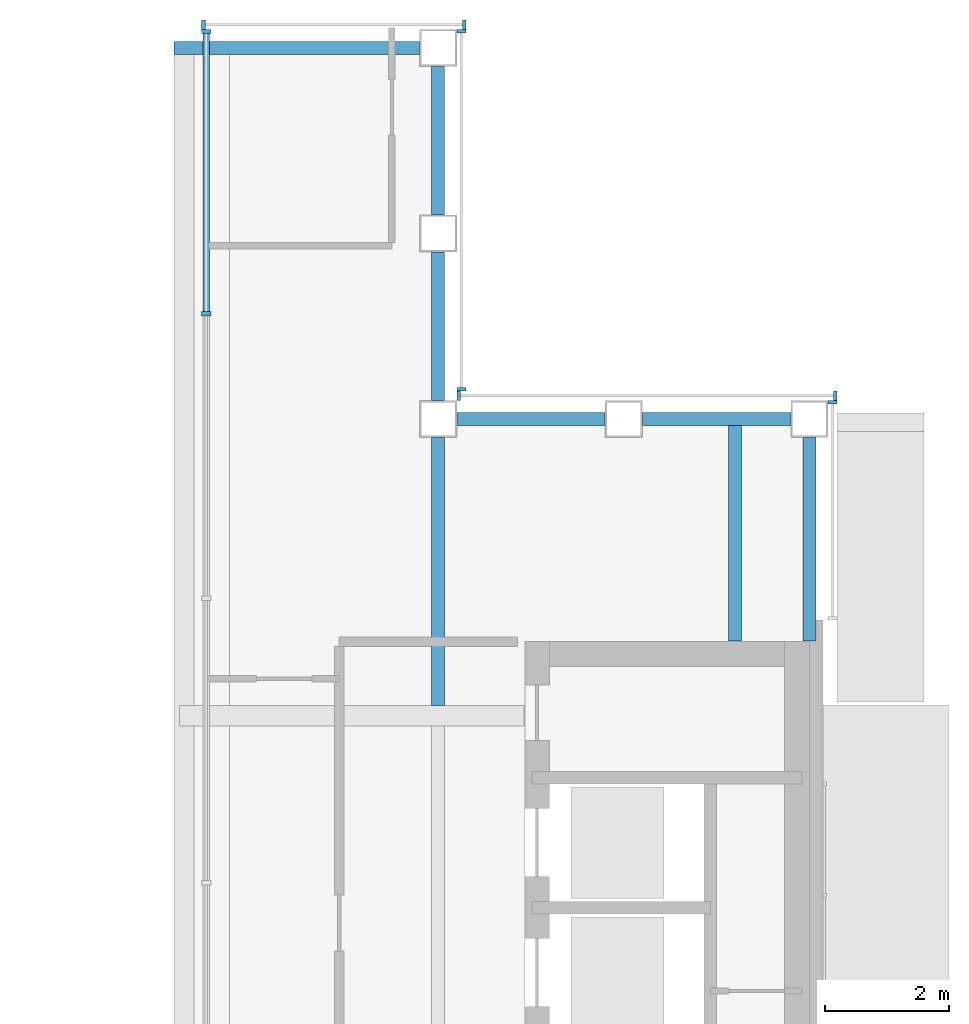
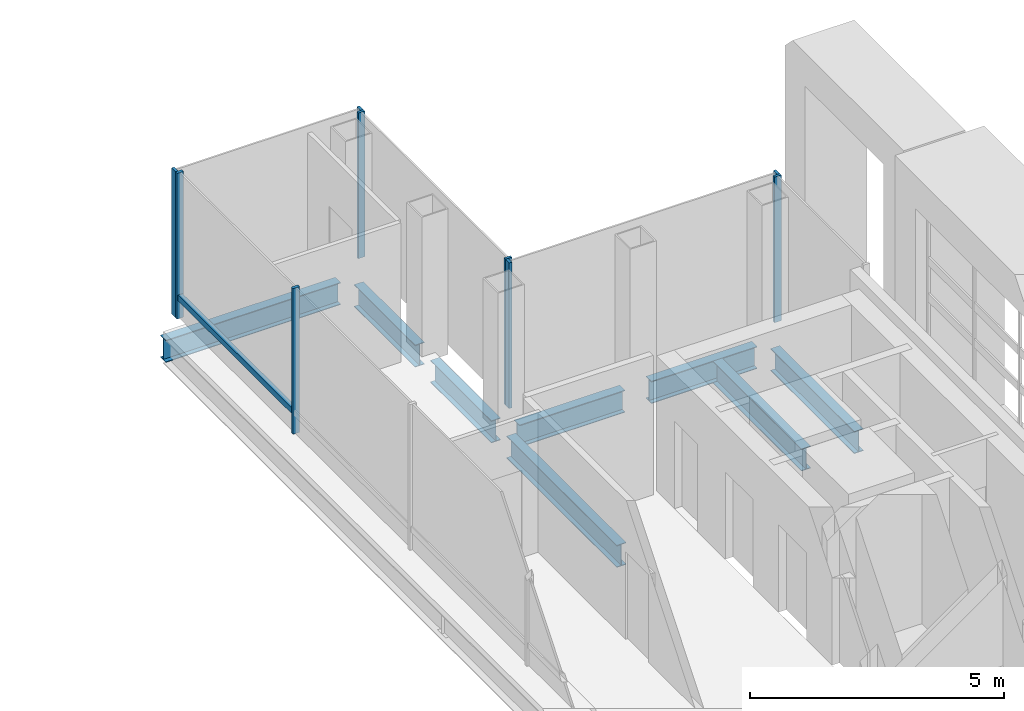
# One storey, part 9 of 21: 10 members, 8 beams, 5 elements without a shape of their own.
"""IFC4 building model written with IfcOpenShell, lengths in metres."""

from ifc_helpers import new_model, si_unit, direction, frame, origin, origin_2d, place, context, subcontext, project, spatial, rectangle, i_section, extrude, material, material_profile, profile_set, type_object, element, aggregate, save


model = new_model("IFC4")

# Units and contexts
model_context = context("Model", 3, precision=1e-05, world=origin(), true_north=direction((0.0, 1.0)))
body_context = subcontext(model_context, "Body", "Model", "MODEL_VIEW")
ifc_project = project(units=[si_unit("LENGTHUNIT", "METRE"), si_unit("AREAUNIT", "SQUARE_METRE"), si_unit("VOLUMEUNIT", "CUBIC_METRE"), si_unit("PLANEANGLEUNIT", "RADIAN"), si_unit("MASSUNIT", "GRAM", prefix="KILO")], contexts=[model_context])

# Site, building, storey
site_placement = place(None, origin())
site = spatial("IfcSite", under=ifc_project, at=site_placement, CompositionType="ELEMENT")
building_placement = place(site_placement, origin())
building = spatial("IfcBuilding", under=site, at=building_placement, Name="Cobrizo Arcos Hotel Tower", CompositionType="ELEMENT")
storey_placement = place(building_placement, frame((0.0, 0.0, 283.0)))
storey = spatial("IfcBuildingStorey", under=building, at=storey_placement, Name="L75", CompositionType="ELEMENT", Elevation=283.0)

# Curtain wall, members
ifc_material_1 = material(Name="Aluminium 6063-T6 anodised bronze", Category="aluminium")
curtain_wall_type_1 = type_object("IfcCurtainWallType", Name="CW-A guest facade", PredefinedType="NOTDEFINED", material=ifc_material_1)
curtain_wall_1_placement = place(storey_placement, origin())
curtain_wall_1 = element("IfcCurtainWall", 1, at=curtain_wall_1_placement, inside=storey, type_object=curtain_wall_type_1, Name="CW-A L75 N face", PredefinedType="NOTDEFINED")
ifc_material_profile_1 = material_profile(ifc_material_1, rectangle(XDim=0.14990234375, YDim=0.06005859375, at=origin_2d()), Name="CW-A mullion 150x60")
ifc_profile_set_1 = profile_set([ifc_material_profile_1], Name="Aluminium 6063-T6 anodised bronze")
member_type_1 = type_object("IfcMemberType", Name="CW-A mullion 150x60", PredefinedType="MULLION", material=ifc_profile_set_1)
member_1_placement = place(storey_placement, frame((14.820068359375, 20.77490234375, 0.0), z_axis=(0.0, 0.0, 1.0), x_axis=(0.0, 1.0, 0.0)))
member_1 = element("IfcMember", 2, at=member_1_placement, type_object=member_type_1, Name="CW-A mullion 1", PredefinedType="MULLION", context=body_context, shape_type="SweptSolid", body=[
    extrude(rectangle(XDim=0.14990234375, YDim=0.06005859375, at=origin_2d()), origin(), (0.0, 0.0, 1.0), 3.5),
])
member_2_placement = place(storey_placement, frame((10.60595703125, 20.77490234375, 0.0), z_axis=(0.0, 0.0, 1.0), x_axis=(0.0, 1.0, 0.0)))
member_2 = element("IfcMember", 3, at=member_2_placement, type_object=member_type_1, Name="CW-A mullion 2", PredefinedType="MULLION", context=body_context, shape_type="SweptSolid", body=[
    extrude(rectangle(XDim=0.14990234375, YDim=0.06005859375, at=origin_2d()), origin(), (0.0, 0.0, 1.0), 3.5),
])
aggregate(curtain_wall_1, [member_1, member_2])

# Curtain wall, member
curtain_wall_2_placement = place(storey_placement, origin())
curtain_wall_2 = element("IfcCurtainWall", 4, at=curtain_wall_2_placement, inside=storey, type_object=curtain_wall_type_1, Name="CW-A L75 E face", PredefinedType="NOTDEFINED")
member_3_placement = place(storey_placement, frame((20.77490234375, 14.669921875, 0.0), z_axis=(0.0, 0.0, 1.0), x_axis=(1.0, 0.0, 0.0)))
member_3 = element("IfcMember", 5, at=member_3_placement, type_object=member_type_1, Name="CW-A mullion 2", PredefinedType="MULLION", context=body_context, shape_type="SweptSolid", body=[
    extrude(rectangle(XDim=0.14990234375, YDim=0.06005859375, at=origin_2d()), origin(), (0.0, 0.0, 1.0), 3.5),
])
aggregate(curtain_wall_2, [member_3])

# Curtain wall, members
curtain_wall_3_placement = place(storey_placement, origin())
curtain_wall_3 = element("IfcCurtainWall", 6, at=curtain_wall_3_placement, inside=storey, type_object=curtain_wall_type_1, Name="CW-A L75 N face", PredefinedType="NOTDEFINED")
member_4_placement = place(storey_placement, frame((20.820068359375, 14.77490234375, 0.0), z_axis=(0.0, 0.0, 1.0), x_axis=(0.0, 1.0, 0.0)))
member_4 = element("IfcMember", 7, at=member_4_placement, type_object=member_type_1, Name="CW-A mullion 1", PredefinedType="MULLION", context=body_context, shape_type="SweptSolid", body=[
    extrude(rectangle(XDim=0.14990234375, YDim=0.06005859375, at=origin_2d()), origin(), (0.0, 0.0, 1.0), 3.5),
])
member_5_placement = place(storey_placement, frame((14.72998046875, 14.77490234375, 0.0), z_axis=(0.0, 0.0, 1.0), x_axis=(0.0, 1.0, 0.0)))
member_5 = element("IfcMember", 8, at=member_5_placement, type_object=member_type_1, Name="CW-A mullion 2", PredefinedType="MULLION", context=body_context, shape_type="SweptSolid", body=[
    extrude(rectangle(XDim=0.14990234375, YDim=0.06005859375, at=origin_2d()), origin(), (0.0, 0.0, 1.0), 3.5),
])
aggregate(curtain_wall_3, [member_4, member_5])

curtain_wall_4_placement = place(storey_placement, origin())
curtain_wall_4 = element("IfcCurtainWall", 9, at=curtain_wall_4_placement, inside=storey, type_object=curtain_wall_type_1, Name="CW-A L75 E face", PredefinedType="NOTDEFINED")
member_6_placement = place(storey_placement, frame((14.77490234375, 14.8798828125, 0.0), z_axis=(0.0, 0.0, 1.0), x_axis=(1.0, 0.0, 0.0)))
member_6 = element("IfcMember", 10, at=member_6_placement, type_object=member_type_1, Name="CW-A mullion 1", PredefinedType="MULLION", context=body_context, shape_type="SweptSolid", body=[
    extrude(rectangle(XDim=0.14990234375, YDim=0.06005859375, at=origin_2d()), origin(), (0.0, 0.0, 1.0), 3.5),
])
member_7_placement = place(storey_placement, frame((14.77490234375, 20.669921875, 0.0), z_axis=(0.0, 0.0, 1.0), x_axis=(1.0, 0.0, 0.0)))
member_7 = element("IfcMember", 11, at=member_7_placement, type_object=member_type_1, Name="CW-A mullion 2", PredefinedType="MULLION", context=body_context, shape_type="SweptSolid", body=[
    extrude(rectangle(XDim=0.14990234375, YDim=0.06005859375, at=origin_2d()), origin(), (0.0, 0.0, 1.0), 3.5),
])
aggregate(curtain_wall_4, [member_6, member_7])

curtain_wall_type_2 = type_object("IfcCurtainWallType", Name="CW-C arch infill and crown glazing", PredefinedType="NOTDEFINED", material=ifc_material_1)
curtain_wall_5_placement = place(storey_placement, origin())
curtain_wall_5 = element("IfcCurtainWall", 12, at=curtain_wall_5_placement, inside=storey, type_object=curtain_wall_type_2, Name="CW-C L75 W face", PredefinedType="NOTDEFINED")
ifc_material_profile_2 = material_profile(ifc_material_1, rectangle(XDim=0.14990234375, YDim=0.070068359375, at=origin_2d()), Name="CW-C mullion 150x70")
ifc_profile_set_2 = profile_set([ifc_material_profile_2], Name="Aluminium 6063-T6 anodised bronze")
member_type_2 = type_object("IfcMemberType", Name="CW-C mullion 150x70", PredefinedType="MULLION", material=ifc_profile_set_2)
member_8_placement = place(storey_placement, frame((10.65087890625, 20.6650390625, 0.0), z_axis=(0.0, 0.0, 1.0), x_axis=(-1.0, 0.0, 0.0)))
member_8 = element("IfcMember", 13, at=member_8_placement, type_object=member_type_2, Name="CW-C mullion 1", PredefinedType="MULLION", context=body_context, shape_type="SweptSolid", body=[
    extrude(rectangle(XDim=0.14990234375, YDim=0.070068359375, at=origin_2d()), origin(), (0.0, 0.0, 1.0), 3.5),
])
member_9_placement = place(storey_placement, frame((10.65087890625, 16.10009765625, 0.0), z_axis=(0.0, 0.0, 1.0), x_axis=(-1.0, 0.0, 0.0)))
member_9 = element("IfcMember", 14, at=member_9_placement, type_object=member_type_2, Name="CW-C mullion 2", PredefinedType="MULLION", context=body_context, shape_type="SweptSolid", body=[
    extrude(rectangle(XDim=0.14990234375, YDim=0.070068359375, at=origin_2d()), origin(), (0.0, 0.0, 1.0), 3.5),
])
ifc_material_profile_3 = material_profile(ifc_material_1, rectangle(XDim=0.10009765625, YDim=0.139892578125, at=origin_2d()), Name="CW-C transom 140x100")
ifc_profile_set_3 = profile_set([ifc_material_profile_3], Name="Aluminium 6063-T6 anodised bronze")
member_type_3 = type_object("IfcMemberType", Name="CW-C transom 140x100", PredefinedType="USERDEFINED", material=ifc_profile_set_3)
member_10_placement = place(storey_placement, frame((10.65087890625, 20.6298828125, 0.5), z_axis=(0.0, -1.0, 0.0), x_axis=(1.0, 0.0, 0.0)))
member_10 = element("IfcMember", 15, at=member_10_placement, type_object=member_type_3, Name="CW-C transom 2359", ObjectType="TRANSOM", PredefinedType="USERDEFINED", context=body_context, shape_type="SweptSolid", body=[
    extrude(rectangle(XDim=0.10009765625, YDim=0.139892578125, at=origin_2d()), origin(), (0.0, 0.0, 1.0), 4.494873046875),
])
aggregate(curtain_wall_5, [member_8, member_9, member_10])

# Beams
ifc_material_2 = material(Name="Steel ASTM A992 Grade 50", Category="steel")
ifc_material_profile_4 = material_profile(ifc_material_2, i_section(OverallWidth=0.209228515625, OverallDepth=0.533447265625, WebThickness=0.01025390625, FlangeThickness=0.015625, at=origin_2d()), Name="W21X62")
ifc_profile_set_4 = profile_set([ifc_material_profile_4], Name="Steel ASTM A992 Grade 50")
beam_type_1 = type_object("IfcBeamType", Name="W21X62 joist", PredefinedType="JOIST", material=ifc_profile_set_4)
beam_1_placement = place(storey_placement, frame((14.39990234375, 9.763916015625, -0.416748046875), z_axis=(0.0, 1.0, 0.0), x_axis=(-1.0, 0.0, 0.0)))
element("IfcBeam", 16, at=beam_1_placement, inside=storey, type_object=beam_type_1, Name="Floor joist J1, L75, no. 010", PredefinedType="JOIST", context=body_context, shape_type="SweptSolid", body=[
    extrude(i_section(OverallWidth=0.209228515625, OverallDepth=0.533447265625, WebThickness=0.01025390625, FlangeThickness=0.015625, at=origin_2d()), origin(), (0.0, 0.0, 1.0), 4.336181640625),
])
beam_2_placement = place(storey_placement, frame((19.199951171875, 10.81005859375, -0.416748046875), z_axis=(0.0, 1.0, 0.0), x_axis=(-1.0, 0.0, 0.0)))
element("IfcBeam", 17, at=beam_2_placement, inside=storey, type_object=beam_type_1, Name="Floor joist J1, L75, no. 012", PredefinedType="JOIST", context=body_context, shape_type="SweptSolid", body=[
    extrude(i_section(OverallWidth=0.209228515625, OverallDepth=0.533447265625, WebThickness=0.01025390625, FlangeThickness=0.015625, at=origin_2d()), origin(), (0.0, 0.0, 1.0), 3.5),
])
ifc_material_profile_5 = material_profile(ifc_material_2, i_section(OverallWidth=0.209228515625, OverallDepth=0.533447265625, WebThickness=0.01025390625, FlangeThickness=0.015625, at=origin_2d()), Name="W21X62")
ifc_profile_set_5 = profile_set([ifc_material_profile_5], Name="Steel ASTM A992 Grade 50")
beam_type_2 = type_object("IfcBeamType", Name="W21X62 spandrel", PredefinedType="SPANDREL", material=ifc_profile_set_5)
beam_3_placement = place(storey_placement, frame((10.1279296875, 20.39990234375, -0.416748046875), z_axis=(1.0, 0.0, 0.0), x_axis=(0.0, 1.0, 0.0)))
element("IfcBeam", 18, at=beam_3_placement, inside=storey, type_object=beam_type_2, Name="Spandrel beam W21X62, L75, no. 013", PredefinedType="SPANDREL", context=body_context, shape_type="SweptSolid", body=[
    extrude(i_section(OverallWidth=0.209228515625, OverallDepth=0.533447265625, WebThickness=0.01025390625, FlangeThickness=0.015625, at=origin_2d()), origin(), (0.0, 0.0, 1.0), 3.97216796875),
])
for number, where, z_axis, x_axis, name in (
    (19, (14.39990234375, 20.10009765625, -0.416748046875), (0.0, -1.0, 0.0), (1.0, 0.0, 0.0), "Spandrel beam W21X62, L75, no. 014"),
    (20, (14.39990234375, 17.10009765625, -0.416748046875), (0.0, -1.0, 0.0), (1.0, 0.0, 0.0), "Spandrel beam W21X62, L75, no. 015"),
    (21, (14.699951171875, 14.39990234375, -0.416748046875), (1.0, 0.0, 0.0), (0.0, 1.0, 0.0), "Spandrel beam W21X62, L75, no. 016"),
    (22, (17.699951171875, 14.39990234375, -0.416748046875), (1.0, 0.0, 0.0), (0.0, 1.0, 0.0), "Spandrel beam W21X62, L75, no. 017"),
):
    element("IfcBeam", number, at=place(storey_placement, frame(where, z_axis=z_axis, x_axis=x_axis)), inside=storey, type_object=beam_type_2, Name=name, PredefinedType="SPANDREL", context=body_context, shape_type="SweptSolid", body=[
        extrude(i_section(OverallWidth=0.209228515625, OverallDepth=0.533447265625, WebThickness=0.01025390625, FlangeThickness=0.015625, at=origin_2d()), origin(), (0.0, 0.0, 1.0), 2.400146484375),
    ])
beam_4_placement = place(storey_placement, frame((20.39990234375, 14.10009765625, -0.416748046875), z_axis=(0.0, -1.0, 0.0), x_axis=(1.0, 0.0, 0.0)))
element("IfcBeam", 23, at=beam_4_placement, inside=storey, type_object=beam_type_2, Name="Spandrel beam W21X62, L75, no. 018", PredefinedType="SPANDREL", context=body_context, shape_type="SweptSolid", body=[
    extrude(i_section(OverallWidth=0.209228515625, OverallDepth=0.533447265625, WebThickness=0.01025390625, FlangeThickness=0.015625, at=origin_2d()), origin(), (0.0, 0.0, 1.0), 3.2900390625),
])

save(model, "model.ifc")
